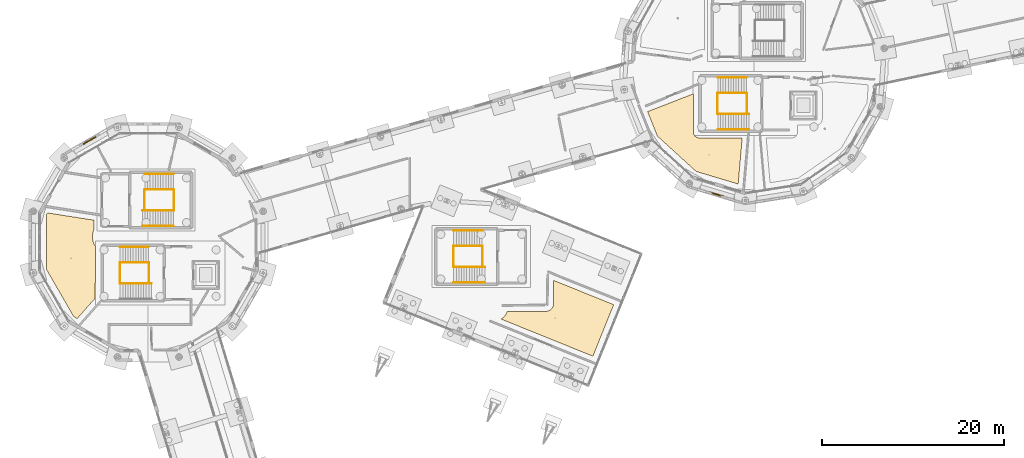
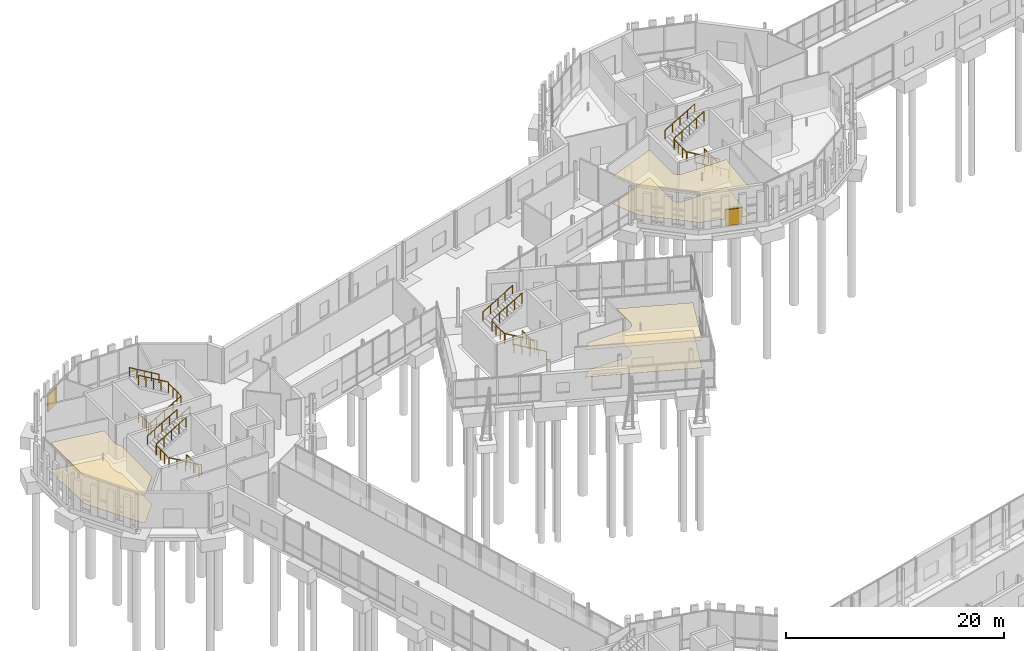
# One storey, part 109 of 113: 23 railings, 6 coverings, 2 shading devices.
"""IFC4 building model written with IfcOpenShell, lengths in metres."""

from ifc_helpers import new_model, si_unit, direction, frame, origin, origin_2d, place, context, subcontext, project, spatial, polyline, rectangle, circle, outline, extrude, material, layer, layer_set, type_object, element, save


model = new_model("IFC4")

# Units and contexts
model_context = context("Model", 3, precision=1e-05, world=origin(), true_north=direction((0.0, 1.0)))
body_context = subcontext(model_context, "Body", "Model", "MODEL_VIEW")
ifc_project = project(units=[si_unit("LENGTHUNIT", "METRE"), si_unit("AREAUNIT", "SQUARE_METRE"), si_unit("VOLUMEUNIT", "CUBIC_METRE"), si_unit("PLANEANGLEUNIT", "RADIAN"), si_unit("MASSUNIT", "GRAM", prefix="KILO")], contexts=[model_context])

# Site, building, storey
site_placement = place(None, origin())
site = spatial("IfcSite", under=ifc_project, at=site_placement, CompositionType="ELEMENT")
building_placement = place(site_placement, origin())
building = spatial("IfcBuilding", under=site, at=building_placement, Name="Wrenclough Park School", CompositionType="ELEMENT")
storey_placement = place(building_placement, origin())
storey = spatial("IfcBuildingStorey", under=building, at=storey_placement, Name="L00", CompositionType="ELEMENT", Elevation=0.0)

# Shading devices
ifc_material_1 = material(Name="Perforated Manchester multi-stock and Staffordshire blue-grey brick screen", Category="masonry")
ifc_layer_1 = layer(ifc_material_1, 0.114990234375)
ifc_layer_set_1 = layer_set([ifc_layer_1], Name="Perforated Manchester multi-stock and Staffordshire blue-grey brick screen")
shading_device_type = type_object("IfcShadingDeviceType", Name="ENV-BS-01", PredefinedType="USERDEFINED", material=ifc_layer_set_1)
for number, where, z_axis, x_axis, name in (
    (1, (10.061767578125, 100.651611328125, 0.52978515625), (0.0, 0.0, 1.0), (-0.866030885401, -0.499990505441, 0.0), "D3 L00 acoustic open-bond brick baffle 006"),
    (2, (78.868896484375, 94.742919921875, 0.52978515625), (0.0, 0.0, 1.0), (0.957751215921, -0.287597997911, 0.0), "D4 L00 acoustic open-bond brick baffle 009"),
):
    element("IfcShadingDevice", number, at=place(storey_placement, frame(where, z_axis=z_axis, x_axis=x_axis)), inside=storey, type_object=shading_device_type, Name=name, ObjectType="PERFORATED BRICK SCREEN", PredefinedType="USERDEFINED", context=body_context, shape_type="SweptSolid", body=[
        extrude(rectangle(XDim=1.60009765625, YDim=0.114990234375, at=origin_2d()), origin(), (0.0, 0.0, 1.0), 1.800048828125),
    ])

# Coverings
ifc_material_2 = material(Name="Class A mineral-fibre acoustic ceiling raft", Category="gypsum")
ifc_layer_2 = layer(ifc_material_2, 0.044921875)
ifc_layer_set_2 = layer_set([ifc_layer_2], Name="Class A mineral-fibre acoustic ceiling raft")
covering_type_1 = type_object("IfcCoveringType", Name="INT-COV-CEIL", PredefinedType="CEILING", material=ifc_layer_set_2)
covering_1_placement = place(storey_placement, frame((0.0, 0.0, 3.054931640625)))
element("IfcCovering", 3, at=covering_1_placement, inside=storey, type_object=covering_type_1, Name="Resistant Materials DT Workshop acoustic ceiling raft", PredefinedType="CEILING", context=body_context, shape_type="SweptSolid", body=[
    extrude(outline(polyline([(10.530029296875, 90.97998046875), (10.530029296875, 91.90771484375), (5.444091796875, 92.702392578125), (5.32421875, 92.494384765625), (5.32421875, 86.505615234375), (8.318603515625, 81.318603515625), (8.693603515625, 81.102294921875), (10.6650390625, 83.32470703125), (10.727294921875, 88.989990234375), (10.650146484375, 89.09130859375), (10.6123046875, 89.15869140625), (10.48193359375, 89.433837890625), (10.451416015625, 89.539794921875), (10.406982421875, 89.777587890625), (10.403564453125, 90.346923828125), (10.43408203125, 90.59716796875), (10.5361328125, 90.895751953125), (10.530029296875, 90.97998046875)])), origin(), (0.0, 0.0, 1.0), 0.045166015625),
])
covering_2_placement = place(storey_placement, frame((0.0, 0.0, 3.054931640625)))
element("IfcCovering", 4, at=covering_2_placement, inside=storey, type_object=covering_type_1, Name="Humanities Classroom 1 acoustic ceiling raft", PredefinedType="CEILING", context=body_context, shape_type="SweptSolid", body=[
    extrude(outline(polyline([(71.29833984375, 103.816650390625), (72.373046875, 101.1376953125), (76.619873046875, 97.255859375), (81.242431640625, 95.867919921875), (81.685302734375, 100.929931640625), (76.97998046875, 100.929931640625), (76.853271484375, 100.9423828125), (76.791259765625, 100.9580078125), (76.673583984375, 101.0068359375), (76.567626953125, 101.077392578125), (76.4775390625, 101.16748046875), (76.40673828125, 101.273681640625), (76.35791015625, 101.391357421875), (76.3330078125, 101.516357421875), (76.330078125, 105.7744140625), (71.29833984375, 103.816650390625)])), origin(), (0.0, 0.0, 1.0), 0.045166015625),
])
covering_3_placement = place(storey_placement, frame((0.0, 0.0, 3.054931640625)))
element("IfcCovering", 5, at=covering_3_placement, inside=storey, type_object=covering_type_1, Name="Dining Hall acoustic ceiling raft", PredefinedType="CEILING", context=body_context, shape_type="SweptSolid", body=[
    extrude(outline(polyline([(55.220458984375, 81.048583984375), (65.297607421875, 76.976318359375), (67.58251953125, 82.632080078125), (61.0, 85.29150390625), (60.99609375, 82.678466796875), (60.964599609375, 82.53857421875), (60.83447265625, 82.26123046875), (60.758544921875, 82.158935546875), (60.6640625, 82.0732421875), (60.5546875, 82.0078125), (60.368896484375, 81.93798828125), (60.297607421875, 81.9169921875), (60.224365234375, 81.904296875), (60.14990234375, 81.89990234375), (55.905517578125, 81.89990234375), (55.852783203125, 81.765869140625), (55.7626953125, 81.593994140625), (55.689453125, 81.48388671875), (55.5029296875, 81.26416015625), (55.220458984375, 81.048583984375)])), origin(), (0.0, 0.0, 1.0), 0.045166015625),
])
ifc_material_3 = material(Name="Acoustic natural linoleum school flooring", Category="wood")
ifc_layer_3 = layer(ifc_material_3, 0.014892578125)
ifc_layer_set_3 = layer_set([ifc_layer_3], Name="Acoustic natural linoleum school flooring")
covering_type_2 = type_object("IfcCoveringType", Name="INT-COV-FLOOR1", PredefinedType="FLOORING", material=ifc_layer_set_3)
covering_4_placement = place(storey_placement, origin())
element("IfcCovering", 6, at=covering_4_placement, inside=storey, type_object=covering_type_2, Name="Resistant Materials DT Workshop floor finish", PredefinedType="FLOORING", context=body_context, shape_type="SweptSolid", body=[
    extrude(outline(polyline([(10.530029296875, 90.97998046875), (10.530029296875, 91.90771484375), (5.444091796875, 92.702392578125), (5.32421875, 92.494384765625), (5.32421875, 86.505615234375), (8.318603515625, 81.318603515625), (8.693603515625, 81.102294921875), (10.6650390625, 83.32470703125), (10.727294921875, 88.989990234375), (10.650146484375, 89.09130859375), (10.6123046875, 89.15869140625), (10.48193359375, 89.433837890625), (10.451416015625, 89.539794921875), (10.406982421875, 89.777587890625), (10.403564453125, 90.346923828125), (10.43408203125, 90.59716796875), (10.5361328125, 90.895751953125), (10.530029296875, 90.97998046875)])), origin(), (0.0, 0.0, 1.0), 0.014892578125),
])
covering_5_placement = place(storey_placement, origin())
element("IfcCovering", 7, at=covering_5_placement, inside=storey, type_object=covering_type_2, Name="Humanities Classroom 1 floor finish", PredefinedType="FLOORING", context=body_context, shape_type="SweptSolid", body=[
    extrude(outline(polyline([(71.29833984375, 103.816650390625), (72.373046875, 101.1376953125), (76.619873046875, 97.255859375), (81.242431640625, 95.867919921875), (81.685302734375, 100.929931640625), (76.97998046875, 100.929931640625), (76.853271484375, 100.9423828125), (76.791259765625, 100.9580078125), (76.673583984375, 101.0068359375), (76.567626953125, 101.077392578125), (76.4775390625, 101.16748046875), (76.40673828125, 101.273681640625), (76.35791015625, 101.391357421875), (76.3330078125, 101.516357421875), (76.330078125, 105.7744140625), (71.29833984375, 103.816650390625)])), origin(), (0.0, 0.0, 1.0), 0.014892578125),
])
covering_6_placement = place(storey_placement, origin())
element("IfcCovering", 8, at=covering_6_placement, inside=storey, type_object=covering_type_2, Name="Dining Hall floor finish", PredefinedType="FLOORING", context=body_context, shape_type="SweptSolid", body=[
    extrude(outline(polyline([(55.220458984375, 81.048583984375), (65.297607421875, 76.976318359375), (67.58251953125, 82.632080078125), (61.0, 85.29150390625), (60.99609375, 82.678466796875), (60.964599609375, 82.53857421875), (60.83447265625, 82.26123046875), (60.758544921875, 82.158935546875), (60.6640625, 82.0732421875), (60.5546875, 82.0078125), (60.368896484375, 81.93798828125), (60.297607421875, 81.9169921875), (60.224365234375, 81.904296875), (60.14990234375, 81.89990234375), (55.905517578125, 81.89990234375), (55.852783203125, 81.765869140625), (55.7626953125, 81.593994140625), (55.689453125, 81.48388671875), (55.5029296875, 81.26416015625), (55.220458984375, 81.048583984375)])), origin(), (0.0, 0.0, 1.0), 0.014892578125),
])

# Railings
ifc_material_4 = material(Name="Powder-coated steel vertical-baluster stair and atrium guard", Category="steel")
railing_type_1 = type_object("IfcRailingType", Name="INT-RL-GD1120", PredefinedType="GUARDRAIL", material=ifc_material_4)
railing_1_placement = place(storey_placement, frame((16.594970703125, 84.949951171875, 0.0)))
element("IfcRailing", 9, at=railing_1_placement, inside=storey, type_object=railing_type_1, Name="ST-03 L00 well guard 1", PredefinedType="GUARDRAIL", context=body_context, shape_type="SweptSolid", body=[
    extrude(circle(Radius=0.02392578125, at=origin_2d()), frame((0.0, 0.0, 1.09619140625), z_axis=(0.0, 1.0, 0.0), x_axis=(-1.0, 0.0, 0.0)), (0.0, 0.0, 1.0), 2.300048828125),
    extrude(circle(Radius=0.02099609375, at=origin_2d()), origin(), (0.0, 0.0, 1.0), 1.072021484375),
    extrude(circle(Radius=0.02099609375, at=origin_2d()), frame((0.0, 0.7666015625, 0.0)), (0.0, 0.0, 1.0), 1.072021484375),
    extrude(circle(Radius=0.02099609375, at=origin_2d()), frame((0.0, 1.533447265625, 0.0)), (0.0, 0.0, 1.0), 1.072021484375),
    extrude(circle(Radius=0.02099609375, at=origin_2d()), frame((0.0, 2.300048828125, 0.0)), (0.0, 0.0, 1.0), 1.072021484375),
])
railing_2_placement = place(storey_placement, frame((16.840087890625, 84.949951171875, 0.16796875)))
element("IfcRailing", 10, at=railing_2_placement, inside=storey, type_object=railing_type_1, Name="ST-03 L00 well guard 2", PredefinedType="GUARDRAIL", context=body_context, shape_type="SweptSolid", body=[
    extrude(circle(Radius=0.02392578125, at=origin_2d()), frame((0.0, 0.0, 1.09619140625), z_axis=(-0.861465926511, 0.0, 0.507815377338), x_axis=(0.0, -1.0, 0.0)), (0.0, 0.0, 1.0), 3.97021484375),
    extrude(circle(Radius=0.02099609375, at=origin_2d()), origin(), (0.0, 0.0, 1.0), 1.072021484375),
    extrude(circle(Radius=0.02099609375, at=origin_2d()), frame((-0.85498046875, 0.0, 0.50390625)), (0.0, 0.0, 1.0), 1.072021484375),
    extrude(circle(Radius=0.02099609375, at=origin_2d()), frame((-1.7099609375, 0.0, 1.008056640625)), (0.0, 0.0, 1.0), 1.072021484375),
    extrude(circle(Radius=0.02099609375, at=origin_2d()), frame((-2.565185546875, 0.0, 1.51220703125)), (0.0, 0.0, 1.0), 1.072021484375),
    extrude(circle(Radius=0.02099609375, at=origin_2d()), frame((-3.420166015625, 0.0, 2.01611328125)), (0.0, 0.0, 1.0), 1.072021484375),
])
railing_3_placement = place(storey_placement, frame((13.3798828125, 84.949951171875, 2.18408203125)))
element("IfcRailing", 11, at=railing_3_placement, inside=storey, type_object=railing_type_1, Name="ST-03 L00 well guard 3", PredefinedType="GUARDRAIL", context=body_context, shape_type="SweptSolid", body=[
    extrude(circle(Radius=0.02392578125, at=origin_2d()), frame((0.0, 0.0, 1.09619140625), z_axis=(0.0, 1.0, 0.0), x_axis=(-1.0, 0.0, 0.0)), (0.0, 0.0, 1.0), 2.300048828125),
    extrude(circle(Radius=0.02099609375, at=origin_2d()), origin(), (0.0, 0.0, 1.0), 1.072021484375),
    extrude(circle(Radius=0.02099609375, at=origin_2d()), frame((0.0, 0.7666015625, 0.0)), (0.0, 0.0, 1.0), 1.072021484375),
    extrude(circle(Radius=0.02099609375, at=origin_2d()), frame((0.0, 1.533447265625, 0.0)), (0.0, 0.0, 1.0), 1.072021484375),
    extrude(circle(Radius=0.02099609375, at=origin_2d()), frame((0.0, 2.300048828125, 0.0)), (0.0, 0.0, 1.0), 1.072021484375),
])
railing_4_placement = place(storey_placement, frame((13.419921875, 87.25, 2.35205078125)))
element("IfcRailing", 12, at=railing_4_placement, inside=storey, type_object=railing_type_1, Name="ST-03 L00 well guard 4", PredefinedType="GUARDRAIL", context=body_context, shape_type="SweptSolid", body=[
    extrude(circle(Radius=0.02392578125, at=origin_2d()), frame((0.0, 0.0, 1.09619140625), z_axis=(0.861480291558, 0.0, 0.50779100746), x_axis=(0.0, 1.0, 0.0)), (0.0, 0.0, 1.0), 3.63916015625),
    extrude(circle(Radius=0.02099609375, at=origin_2d()), origin(), (0.0, 0.0, 1.0), 1.072021484375),
    extrude(circle(Radius=0.02099609375, at=origin_2d()), frame((0.78369140625, 0.0, 0.4619140625)), (0.0, 0.0, 1.0), 1.072021484375),
    extrude(circle(Radius=0.02099609375, at=origin_2d()), frame((1.5673828125, 0.0, 0.923828125)), (0.0, 0.0, 1.0), 1.072021484375),
    extrude(circle(Radius=0.02099609375, at=origin_2d()), frame((2.351318359375, 0.0, 1.385986328125)), (0.0, 0.0, 1.0), 1.072021484375),
    extrude(circle(Radius=0.02099609375, at=origin_2d()), frame((3.135009765625, 0.0, 1.847900390625)), (0.0, 0.0, 1.0), 1.072021484375),
])
railing_5_placement = place(storey_placement, frame((16.10498046875, 92.949951171875, 0.0)))
element("IfcRailing", 13, at=railing_5_placement, inside=storey, type_object=railing_type_1, Name="ST-07 L00 well guard 1", PredefinedType="GUARDRAIL", context=body_context, shape_type="SweptSolid", body=[
    extrude(circle(Radius=0.02392578125, at=origin_2d()), frame((0.0, 0.0, 1.09619140625), z_axis=(0.0, 1.0, 0.0), x_axis=(-1.0, 0.0, 0.0)), (0.0, 0.0, 1.0), 2.300048828125),
    extrude(circle(Radius=0.02099609375, at=origin_2d()), origin(), (0.0, 0.0, 1.0), 1.072021484375),
    extrude(circle(Radius=0.02099609375, at=origin_2d()), frame((0.0, 0.7666015625, 0.0)), (0.0, 0.0, 1.0), 1.072021484375),
    extrude(circle(Radius=0.02099609375, at=origin_2d()), frame((0.0, 1.533447265625, 0.0)), (0.0, 0.0, 1.0), 1.072021484375),
    extrude(circle(Radius=0.02099609375, at=origin_2d()), frame((0.0, 2.300048828125, 0.0)), (0.0, 0.0, 1.0), 1.072021484375),
])
railing_6_placement = place(storey_placement, frame((15.860107421875, 92.949951171875, 0.16796875)))
element("IfcRailing", 14, at=railing_6_placement, inside=storey, type_object=railing_type_1, Name="ST-07 L00 well guard 2", PredefinedType="GUARDRAIL", context=body_context, shape_type="SweptSolid", body=[
    extrude(circle(Radius=0.02392578125, at=origin_2d()), frame((0.0, 0.0, 1.09619140625), z_axis=(0.861450067461, 0.0, 0.507842279918), x_axis=(0.0, 1.0, 0.0)), (0.0, 0.0, 1.0), 3.969970703125),
    extrude(circle(Radius=0.02099609375, at=origin_2d()), origin(), (0.0, 0.0, 1.0), 1.072021484375),
    extrude(circle(Radius=0.02099609375, at=origin_2d()), frame((0.85498046875, 0.0, 0.50390625)), (0.0, 0.0, 1.0), 1.072021484375),
    extrude(circle(Radius=0.02099609375, at=origin_2d()), frame((1.7099609375, 0.0, 1.008056640625)), (0.0, 0.0, 1.0), 1.072021484375),
    extrude(circle(Radius=0.02099609375, at=origin_2d()), frame((2.56494140625, 0.0, 1.51220703125)), (0.0, 0.0, 1.0), 1.072021484375),
    extrude(circle(Radius=0.02099609375, at=origin_2d()), frame((3.419921875, 0.0, 2.01611328125)), (0.0, 0.0, 1.0), 1.072021484375),
])
railing_7_placement = place(storey_placement, frame((19.320068359375, 92.949951171875, 2.18408203125)))
element("IfcRailing", 15, at=railing_7_placement, inside=storey, type_object=railing_type_1, Name="ST-07 L00 well guard 3", PredefinedType="GUARDRAIL", context=body_context, shape_type="SweptSolid", body=[
    extrude(circle(Radius=0.02392578125, at=origin_2d()), frame((0.0, 0.0, 1.09619140625), z_axis=(0.0, 1.0, 0.0), x_axis=(-1.0, 0.0, 0.0)), (0.0, 0.0, 1.0), 2.300048828125),
    extrude(circle(Radius=0.02099609375, at=origin_2d()), origin(), (0.0, 0.0, 1.0), 1.072021484375),
    extrude(circle(Radius=0.02099609375, at=origin_2d()), frame((0.0, 0.7666015625, 0.0)), (0.0, 0.0, 1.0), 1.072021484375),
    extrude(circle(Radius=0.02099609375, at=origin_2d()), frame((0.0, 1.533447265625, 0.0)), (0.0, 0.0, 1.0), 1.072021484375),
    extrude(circle(Radius=0.02099609375, at=origin_2d()), frame((0.0, 2.300048828125, 0.0)), (0.0, 0.0, 1.0), 1.072021484375),
])
railing_8_placement = place(storey_placement, frame((19.280029296875, 95.25, 2.35205078125)))
element("IfcRailing", 16, at=railing_8_placement, inside=storey, type_object=railing_type_1, Name="ST-07 L00 well guard 4", PredefinedType="GUARDRAIL", context=body_context, shape_type="SweptSolid", body=[
    extrude(circle(Radius=0.02392578125, at=origin_2d()), frame((0.0, 0.0, 1.09619140625), z_axis=(-0.861480291558, 0.0, 0.50779100746), x_axis=(0.0, -1.0, 0.0)), (0.0, 0.0, 1.0), 3.63916015625),
    extrude(circle(Radius=0.02099609375, at=origin_2d()), origin(), (0.0, 0.0, 1.0), 1.072021484375),
    extrude(circle(Radius=0.02099609375, at=origin_2d()), frame((-0.78369140625, 0.0, 0.4619140625)), (0.0, 0.0, 1.0), 1.072021484375),
    extrude(circle(Radius=0.02099609375, at=origin_2d()), frame((-1.5673828125, 0.0, 0.923828125)), (0.0, 0.0, 1.0), 1.072021484375),
    extrude(circle(Radius=0.02099609375, at=origin_2d()), frame((-2.351318359375, 0.0, 1.385986328125)), (0.0, 0.0, 1.0), 1.072021484375),
    extrude(circle(Radius=0.02099609375, at=origin_2d()), frame((-3.135009765625, 0.0, 1.847900390625)), (0.0, 0.0, 1.0), 1.072021484375),
])
railing_9_placement = place(storey_placement, frame((82.195068359375, 103.550048828125, 0.0)))
element("IfcRailing", 17, at=railing_9_placement, inside=storey, type_object=railing_type_1, Name="ST-04 L00 well guard 1", PredefinedType="GUARDRAIL", context=body_context, shape_type="SweptSolid", body=[
    extrude(circle(Radius=0.02392578125, at=origin_2d()), frame((0.0, 0.0, 1.09619140625), z_axis=(0.0, 1.0, 0.0), x_axis=(-1.0, 0.0, 0.0)), (0.0, 0.0, 1.0), 2.300048828125),
    extrude(circle(Radius=0.02099609375, at=origin_2d()), origin(), (0.0, 0.0, 1.0), 1.072021484375),
    extrude(circle(Radius=0.02099609375, at=origin_2d()), frame((0.0, 0.7666015625, 0.0)), (0.0, 0.0, 1.0), 1.072021484375),
    extrude(circle(Radius=0.02099609375, at=origin_2d()), frame((0.0, 1.533447265625, 0.0)), (0.0, 0.0, 1.0), 1.072021484375),
    extrude(circle(Radius=0.02099609375, at=origin_2d()), frame((0.0, 2.300048828125, 0.0)), (0.0, 0.0, 1.0), 1.072021484375),
])
railing_10_placement = place(storey_placement, frame((82.43994140625, 103.550048828125, 0.16796875)))
element("IfcRailing", 18, at=railing_10_placement, inside=storey, type_object=railing_type_1, Name="ST-04 L00 well guard 2", PredefinedType="GUARDRAIL", context=body_context, shape_type="SweptSolid", body=[
    extrude(circle(Radius=0.02392578125, at=origin_2d()), frame((0.0, 0.0, 1.09619140625), z_axis=(-0.861450067461, 0.0, 0.507842279918), x_axis=(0.0, -1.0, 0.0)), (0.0, 0.0, 1.0), 3.969970703125),
    extrude(circle(Radius=0.02099609375, at=origin_2d()), origin(), (0.0, 0.0, 1.0), 1.072021484375),
    extrude(circle(Radius=0.02099609375, at=origin_2d()), frame((-0.85498046875, 0.0, 0.50390625)), (0.0, 0.0, 1.0), 1.072021484375),
    extrude(circle(Radius=0.02099609375, at=origin_2d()), frame((-1.7099609375, 0.0, 1.008056640625)), (0.0, 0.0, 1.0), 1.072021484375),
    extrude(circle(Radius=0.02099609375, at=origin_2d()), frame((-2.56494140625, 0.0, 1.51220703125)), (0.0, 0.0, 1.0), 1.072021484375),
    extrude(circle(Radius=0.02099609375, at=origin_2d()), frame((-3.419921875, 0.0, 2.01611328125)), (0.0, 0.0, 1.0), 1.072021484375),
])
railing_11_placement = place(storey_placement, frame((78.97998046875, 103.550048828125, 2.18408203125)))
element("IfcRailing", 19, at=railing_11_placement, inside=storey, type_object=railing_type_1, Name="ST-04 L00 well guard 3", PredefinedType="GUARDRAIL", context=body_context, shape_type="SweptSolid", body=[
    extrude(circle(Radius=0.02392578125, at=origin_2d()), frame((0.0, 0.0, 1.09619140625), z_axis=(0.0, 1.0, 0.0), x_axis=(-1.0, 0.0, 0.0)), (0.0, 0.0, 1.0), 2.300048828125),
    extrude(circle(Radius=0.02099609375, at=origin_2d()), origin(), (0.0, 0.0, 1.0), 1.072021484375),
    extrude(circle(Radius=0.02099609375, at=origin_2d()), frame((0.0, 0.7666015625, 0.0)), (0.0, 0.0, 1.0), 1.072021484375),
    extrude(circle(Radius=0.02099609375, at=origin_2d()), frame((0.0, 1.533447265625, 0.0)), (0.0, 0.0, 1.0), 1.072021484375),
    extrude(circle(Radius=0.02099609375, at=origin_2d()), frame((0.0, 2.300048828125, 0.0)), (0.0, 0.0, 1.0), 1.072021484375),
])
railing_12_placement = place(storey_placement, frame((79.02001953125, 105.85009765625, 2.35205078125)))
element("IfcRailing", 20, at=railing_12_placement, inside=storey, type_object=railing_type_1, Name="ST-04 L00 well guard 4", PredefinedType="GUARDRAIL", context=body_context, shape_type="SweptSolid", body=[
    extrude(circle(Radius=0.02392578125, at=origin_2d()), frame((0.0, 0.0, 1.09619140625), z_axis=(0.861480291558, 0.0, 0.50779100746), x_axis=(0.0, 1.0, 0.0)), (0.0, 0.0, 1.0), 3.63916015625),
    extrude(circle(Radius=0.02099609375, at=origin_2d()), origin(), (0.0, 0.0, 1.0), 1.072021484375),
    extrude(circle(Radius=0.02099609375, at=origin_2d()), frame((0.78369140625, 0.0, 0.4619140625)), (0.0, 0.0, 1.0), 1.072021484375),
    extrude(circle(Radius=0.02099609375, at=origin_2d()), frame((1.5673828125, 0.0, 0.923828125)), (0.0, 0.0, 1.0), 1.072021484375),
    extrude(circle(Radius=0.02099609375, at=origin_2d()), frame((2.351318359375, 0.0, 1.385986328125)), (0.0, 0.0, 1.0), 1.072021484375),
    extrude(circle(Radius=0.02099609375, at=origin_2d()), frame((3.135009765625, 0.0, 1.847900390625)), (0.0, 0.0, 1.0), 1.072021484375),
])
railing_13_placement = place(storey_placement, frame((53.195068359375, 86.75, 0.0)))
element("IfcRailing", 21, at=railing_13_placement, inside=storey, type_object=railing_type_1, Name="ST-11 L00 well guard 1", PredefinedType="GUARDRAIL", context=body_context, shape_type="SweptSolid", body=[
    extrude(circle(Radius=0.02392578125, at=origin_2d()), frame((0.0, 0.0, 1.09619140625), z_axis=(0.0, 1.0, 0.0), x_axis=(-1.0, 0.0, 0.0)), (0.0, 0.0, 1.0), 2.300048828125),
    extrude(circle(Radius=0.02099609375, at=origin_2d()), origin(), (0.0, 0.0, 1.0), 1.072021484375),
    extrude(circle(Radius=0.02099609375, at=origin_2d()), frame((0.0, 0.7666015625, 0.0)), (0.0, 0.0, 1.0), 1.072021484375),
    extrude(circle(Radius=0.02099609375, at=origin_2d()), frame((0.0, 1.533447265625, 0.0)), (0.0, 0.0, 1.0), 1.072021484375),
    extrude(circle(Radius=0.02099609375, at=origin_2d()), frame((0.0, 2.300048828125, 0.0)), (0.0, 0.0, 1.0), 1.072021484375),
])
railing_14_placement = place(storey_placement, frame((53.43994140625, 86.75, 0.16796875)))
element("IfcRailing", 22, at=railing_14_placement, inside=storey, type_object=railing_type_1, Name="ST-11 L00 well guard 2", PredefinedType="GUARDRAIL", context=body_context, shape_type="SweptSolid", body=[
    extrude(circle(Radius=0.02392578125, at=origin_2d()), frame((0.0, 0.0, 1.09619140625), z_axis=(-0.861450067461, 0.0, 0.507842279918), x_axis=(0.0, -1.0, 0.0)), (0.0, 0.0, 1.0), 3.969970703125),
    extrude(circle(Radius=0.02099609375, at=origin_2d()), origin(), (0.0, 0.0, 1.0), 1.072021484375),
    extrude(circle(Radius=0.02099609375, at=origin_2d()), frame((-0.85498046875, 0.0, 0.50390625)), (0.0, 0.0, 1.0), 1.072021484375),
    extrude(circle(Radius=0.02099609375, at=origin_2d()), frame((-1.7099609375, 0.0, 1.008056640625)), (0.0, 0.0, 1.0), 1.072021484375),
    extrude(circle(Radius=0.02099609375, at=origin_2d()), frame((-2.56494140625, 0.0, 1.51220703125)), (0.0, 0.0, 1.0), 1.072021484375),
    extrude(circle(Radius=0.02099609375, at=origin_2d()), frame((-3.419921875, 0.0, 2.01611328125)), (0.0, 0.0, 1.0), 1.072021484375),
])
railing_15_placement = place(storey_placement, frame((49.97998046875, 86.75, 2.18408203125)))
element("IfcRailing", 23, at=railing_15_placement, inside=storey, type_object=railing_type_1, Name="ST-11 L00 well guard 3", PredefinedType="GUARDRAIL", context=body_context, shape_type="SweptSolid", body=[
    extrude(circle(Radius=0.02392578125, at=origin_2d()), frame((0.0, 0.0, 1.09619140625), z_axis=(0.0, 1.0, 0.0), x_axis=(-1.0, 0.0, 0.0)), (0.0, 0.0, 1.0), 2.300048828125),
    extrude(circle(Radius=0.02099609375, at=origin_2d()), origin(), (0.0, 0.0, 1.0), 1.072021484375),
    extrude(circle(Radius=0.02099609375, at=origin_2d()), frame((0.0, 0.7666015625, 0.0)), (0.0, 0.0, 1.0), 1.072021484375),
    extrude(circle(Radius=0.02099609375, at=origin_2d()), frame((0.0, 1.533447265625, 0.0)), (0.0, 0.0, 1.0), 1.072021484375),
    extrude(circle(Radius=0.02099609375, at=origin_2d()), frame((0.0, 2.300048828125, 0.0)), (0.0, 0.0, 1.0), 1.072021484375),
])
railing_16_placement = place(storey_placement, frame((50.02001953125, 89.050048828125, 2.35205078125)))
element("IfcRailing", 24, at=railing_16_placement, inside=storey, type_object=railing_type_1, Name="ST-11 L00 well guard 4", PredefinedType="GUARDRAIL", context=body_context, shape_type="SweptSolid", body=[
    extrude(circle(Radius=0.02392578125, at=origin_2d()), frame((0.0, 0.0, 1.09619140625), z_axis=(0.861480291558, 0.0, 0.50779100746), x_axis=(0.0, 1.0, 0.0)), (0.0, 0.0, 1.0), 3.63916015625),
    extrude(circle(Radius=0.02099609375, at=origin_2d()), origin(), (0.0, 0.0, 1.0), 1.072021484375),
    extrude(circle(Radius=0.02099609375, at=origin_2d()), frame((0.78369140625, 0.0, 0.4619140625)), (0.0, 0.0, 1.0), 1.072021484375),
    extrude(circle(Radius=0.02099609375, at=origin_2d()), frame((1.5673828125, 0.0, 0.923828125)), (0.0, 0.0, 1.0), 1.072021484375),
    extrude(circle(Radius=0.02099609375, at=origin_2d()), frame((2.351318359375, 0.0, 1.385986328125)), (0.0, 0.0, 1.0), 1.072021484375),
    extrude(circle(Radius=0.02099609375, at=origin_2d()), frame((3.135009765625, 0.0, 1.847900390625)), (0.0, 0.0, 1.0), 1.072021484375),
])
ifc_material_5 = material(Name="Brushed stainless steel tubular handrail", Category="steel")
railing_type_2 = type_object("IfcRailingType", Name="INT-RL-HR950", PredefinedType="HANDRAIL", material=ifc_material_5)
railing_17_placement = place(storey_placement, frame((13.419921875, 88.949951171875, 2.35205078125)))
element("IfcRailing", 25, at=railing_17_placement, inside=storey, type_object=railing_type_2, Name="ST-03 L00 pitch handrail 2", PredefinedType="HANDRAIL", context=body_context, shape_type="SweptSolid", body=[
    extrude(circle(Radius=0.02392578125, at=origin_2d()), frame((0.0, 0.0, 0.92578125), z_axis=(0.861480291558, 0.0, 0.50779100746), x_axis=(0.0, 1.0, 0.0)), (0.0, 0.0, 1.0), 3.63916015625),
    extrude(circle(Radius=0.02099609375, at=origin_2d()), origin(), (0.0, 0.0, 1.0), 0.90185546875),
    extrude(circle(Radius=0.02099609375, at=origin_2d()), frame((0.78369140625, 0.0, 0.4619140625)), (0.0, 0.0, 1.0), 0.90185546875),
    extrude(circle(Radius=0.02099609375, at=origin_2d()), frame((1.5673828125, 0.0, 0.923828125)), (0.0, 0.0, 1.0), 0.90185546875),
    extrude(circle(Radius=0.02099609375, at=origin_2d()), frame((2.351318359375, 0.0, 1.385986328125)), (0.0, 0.0, 1.0), 0.90185546875),
    extrude(circle(Radius=0.02099609375, at=origin_2d()), frame((3.135009765625, 0.0, 1.847900390625)), (0.0, 0.0, 1.0), 0.90185546875),
])
railing_18_placement = place(storey_placement, frame((15.860107421875, 91.25, 0.16796875)))
element("IfcRailing", 26, at=railing_18_placement, inside=storey, type_object=railing_type_2, Name="ST-07 L00 pitch handrail 1", PredefinedType="HANDRAIL", context=body_context, shape_type="SweptSolid", body=[
    extrude(circle(Radius=0.02392578125, at=origin_2d()), frame((0.0, 0.0, 0.92578125), z_axis=(0.861450067461, 0.0, 0.507842279918), x_axis=(0.0, 1.0, 0.0)), (0.0, 0.0, 1.0), 3.969970703125),
    extrude(circle(Radius=0.02099609375, at=origin_2d()), origin(), (0.0, 0.0, 1.0), 0.90185546875),
    extrude(circle(Radius=0.02099609375, at=origin_2d()), frame((0.85498046875, 0.0, 0.50390625)), (0.0, 0.0, 1.0), 0.90185546875),
    extrude(circle(Radius=0.02099609375, at=origin_2d()), frame((1.7099609375, 0.0, 1.008056640625)), (0.0, 0.0, 1.0), 0.90185546875),
    extrude(circle(Radius=0.02099609375, at=origin_2d()), frame((2.56494140625, 0.0, 1.51220703125)), (0.0, 0.0, 1.0), 0.90185546875),
    extrude(circle(Radius=0.02099609375, at=origin_2d()), frame((3.419921875, 0.0, 2.01611328125)), (0.0, 0.0, 1.0), 0.90185546875),
])
railing_19_placement = place(storey_placement, frame((19.280029296875, 96.949951171875, 2.35205078125)))
element("IfcRailing", 27, at=railing_19_placement, inside=storey, type_object=railing_type_2, Name="ST-07 L00 pitch handrail 2", PredefinedType="HANDRAIL", context=body_context, shape_type="SweptSolid", body=[
    extrude(circle(Radius=0.02392578125, at=origin_2d()), frame((0.0, 0.0, 0.92578125), z_axis=(-0.861480291558, 0.0, 0.50779100746), x_axis=(0.0, -1.0, 0.0)), (0.0, 0.0, 1.0), 3.63916015625),
    extrude(circle(Radius=0.02099609375, at=origin_2d()), origin(), (0.0, 0.0, 1.0), 0.90185546875),
    extrude(circle(Radius=0.02099609375, at=origin_2d()), frame((-0.78369140625, 0.0, 0.4619140625)), (0.0, 0.0, 1.0), 0.90185546875),
    extrude(circle(Radius=0.02099609375, at=origin_2d()), frame((-1.5673828125, 0.0, 0.923828125)), (0.0, 0.0, 1.0), 0.90185546875),
    extrude(circle(Radius=0.02099609375, at=origin_2d()), frame((-2.351318359375, 0.0, 1.385986328125)), (0.0, 0.0, 1.0), 0.90185546875),
    extrude(circle(Radius=0.02099609375, at=origin_2d()), frame((-3.135009765625, 0.0, 1.847900390625)), (0.0, 0.0, 1.0), 0.90185546875),
])
railing_20_placement = place(storey_placement, frame((82.43994140625, 101.85009765625, 0.16796875)))
element("IfcRailing", 28, at=railing_20_placement, inside=storey, type_object=railing_type_2, Name="ST-04 L00 pitch handrail 1", PredefinedType="HANDRAIL", context=body_context, shape_type="SweptSolid", body=[
    extrude(circle(Radius=0.02392578125, at=origin_2d()), frame((0.0, 0.0, 0.92578125), z_axis=(-0.861450067461, 0.0, 0.507842279918), x_axis=(0.0, -1.0, 0.0)), (0.0, 0.0, 1.0), 3.969970703125),
    extrude(circle(Radius=0.02099609375, at=origin_2d()), origin(), (0.0, 0.0, 1.0), 0.90185546875),
    extrude(circle(Radius=0.02099609375, at=origin_2d()), frame((-0.85498046875, 0.0, 0.50390625)), (0.0, 0.0, 1.0), 0.90185546875),
    extrude(circle(Radius=0.02099609375, at=origin_2d()), frame((-1.7099609375, 0.0, 1.008056640625)), (0.0, 0.0, 1.0), 0.90185546875),
    extrude(circle(Radius=0.02099609375, at=origin_2d()), frame((-2.56494140625, 0.0, 1.51220703125)), (0.0, 0.0, 1.0), 0.90185546875),
    extrude(circle(Radius=0.02099609375, at=origin_2d()), frame((-3.419921875, 0.0, 2.01611328125)), (0.0, 0.0, 1.0), 0.90185546875),
])
railing_21_placement = place(storey_placement, frame((79.02001953125, 107.550048828125, 2.35205078125)))
element("IfcRailing", 29, at=railing_21_placement, inside=storey, type_object=railing_type_2, Name="ST-04 L00 pitch handrail 2", PredefinedType="HANDRAIL", context=body_context, shape_type="SweptSolid", body=[
    extrude(circle(Radius=0.02392578125, at=origin_2d()), frame((0.0, 0.0, 0.92578125), z_axis=(0.861480291558, 0.0, 0.50779100746), x_axis=(0.0, 1.0, 0.0)), (0.0, 0.0, 1.0), 3.63916015625),
    extrude(circle(Radius=0.02099609375, at=origin_2d()), origin(), (0.0, 0.0, 1.0), 0.90185546875),
    extrude(circle(Radius=0.02099609375, at=origin_2d()), frame((0.78369140625, 0.0, 0.4619140625)), (0.0, 0.0, 1.0), 0.90185546875),
    extrude(circle(Radius=0.02099609375, at=origin_2d()), frame((1.5673828125, 0.0, 0.923828125)), (0.0, 0.0, 1.0), 0.90185546875),
    extrude(circle(Radius=0.02099609375, at=origin_2d()), frame((2.351318359375, 0.0, 1.385986328125)), (0.0, 0.0, 1.0), 0.90185546875),
    extrude(circle(Radius=0.02099609375, at=origin_2d()), frame((3.135009765625, 0.0, 1.847900390625)), (0.0, 0.0, 1.0), 0.90185546875),
])
railing_22_placement = place(storey_placement, frame((53.43994140625, 85.050048828125, 0.16796875)))
element("IfcRailing", 30, at=railing_22_placement, inside=storey, type_object=railing_type_2, Name="ST-11 L00 pitch handrail 1", PredefinedType="HANDRAIL", context=body_context, shape_type="SweptSolid", body=[
    extrude(circle(Radius=0.02392578125, at=origin_2d()), frame((0.0, 0.0, 0.92578125), z_axis=(-0.861450067461, 0.0, 0.507842279918), x_axis=(0.0, -1.0, 0.0)), (0.0, 0.0, 1.0), 3.969970703125),
    extrude(circle(Radius=0.02099609375, at=origin_2d()), origin(), (0.0, 0.0, 1.0), 0.90185546875),
    extrude(circle(Radius=0.02099609375, at=origin_2d()), frame((-0.85498046875, 0.0, 0.50390625)), (0.0, 0.0, 1.0), 0.90185546875),
    extrude(circle(Radius=0.02099609375, at=origin_2d()), frame((-1.7099609375, 0.0, 1.008056640625)), (0.0, 0.0, 1.0), 0.90185546875),
    extrude(circle(Radius=0.02099609375, at=origin_2d()), frame((-2.56494140625, 0.0, 1.51220703125)), (0.0, 0.0, 1.0), 0.90185546875),
    extrude(circle(Radius=0.02099609375, at=origin_2d()), frame((-3.419921875, 0.0, 2.01611328125)), (0.0, 0.0, 1.0), 0.90185546875),
])
railing_23_placement = place(storey_placement, frame((50.02001953125, 90.75, 2.35205078125)))
element("IfcRailing", 31, at=railing_23_placement, inside=storey, type_object=railing_type_2, Name="ST-11 L00 pitch handrail 2", PredefinedType="HANDRAIL", context=body_context, shape_type="SweptSolid", body=[
    extrude(circle(Radius=0.02392578125, at=origin_2d()), frame((0.0, 0.0, 0.92578125), z_axis=(0.861480291558, 0.0, 0.50779100746), x_axis=(0.0, 1.0, 0.0)), (0.0, 0.0, 1.0), 3.63916015625),
    extrude(circle(Radius=0.02099609375, at=origin_2d()), origin(), (0.0, 0.0, 1.0), 0.90185546875),
    extrude(circle(Radius=0.02099609375, at=origin_2d()), frame((0.78369140625, 0.0, 0.4619140625)), (0.0, 0.0, 1.0), 0.90185546875),
    extrude(circle(Radius=0.02099609375, at=origin_2d()), frame((1.5673828125, 0.0, 0.923828125)), (0.0, 0.0, 1.0), 0.90185546875),
    extrude(circle(Radius=0.02099609375, at=origin_2d()), frame((2.351318359375, 0.0, 1.385986328125)), (0.0, 0.0, 1.0), 0.90185546875),
    extrude(circle(Radius=0.02099609375, at=origin_2d()), frame((3.135009765625, 0.0, 1.847900390625)), (0.0, 0.0, 1.0), 0.90185546875),
])

save(model, "model.ifc")
